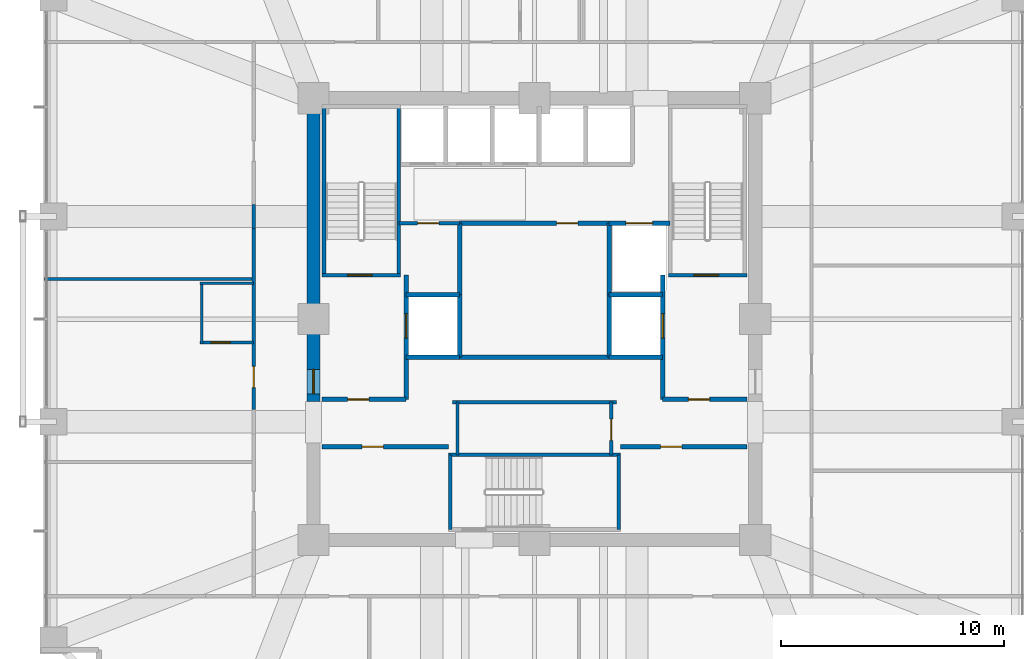
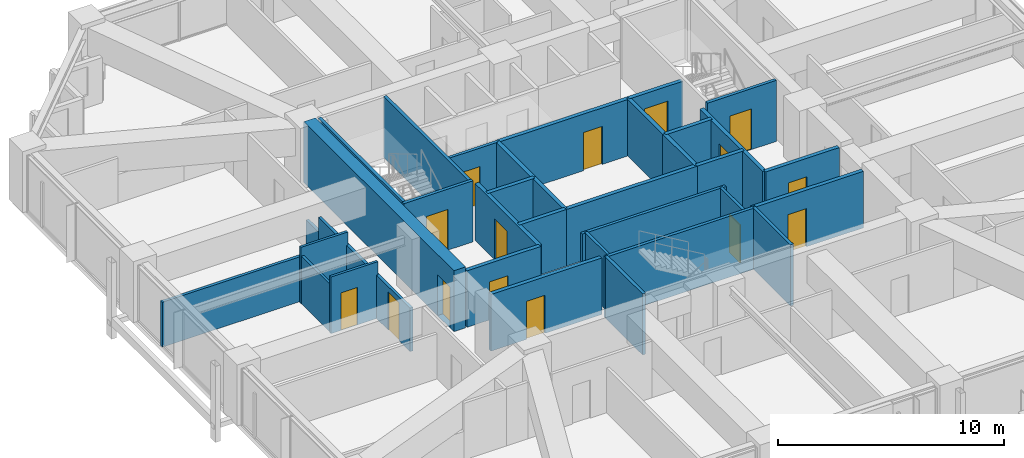
# One storey, part 32 of 37: 35 walls, 15 doors, 15 openings.
"""IFC4 building model written with IfcOpenShell, lengths in metres."""

from ifc_helpers import new_model, si_unit, direction, frame, frame_2d, origin, place, context, subcontext, project, spatial, rectangle, extrude, material, layer, layer_set, type_object, element, fill, save


model = new_model("IFC4")

# Units and contexts
model_context = context("Model", 3, precision=1e-05, world=origin(), true_north=direction((0.0, 1.0)))
body_context = subcontext(model_context, "Body", "Model", "MODEL_VIEW")
ifc_project = project(units=[si_unit("LENGTHUNIT", "METRE"), si_unit("AREAUNIT", "SQUARE_METRE"), si_unit("VOLUMEUNIT", "CUBIC_METRE"), si_unit("PLANEANGLEUNIT", "RADIAN"), si_unit("MASSUNIT", "GRAM", prefix="KILO")], contexts=[model_context])

# Site, building, storey
site_placement = place(None, origin())
site = spatial("IfcSite", under=ifc_project, at=site_placement, CompositionType="ELEMENT")
building_placement = place(site_placement, origin())
building = spatial("IfcBuilding", under=site, at=building_placement, Name="Kolvaren Belvedere", CompositionType="ELEMENT")
storey_placement = place(building_placement, frame((0.0, 0.0, 43.60009765625)))
storey = spatial("IfcBuildingStorey", under=building, at=storey_placement, Name="L12", CompositionType="ELEMENT", Elevation=43.60009765625)

# Wall, opening, door
ifc_material_1 = material(Name="Concrete C60/75", Category="concrete")
ifc_layer_1 = layer(ifc_material_1, 0.60009765625)
ifc_layer_set_1 = layer_set([ifc_layer_1], Name="Concrete C60/75")
wall_type_1 = type_object("IfcWallType", Name="CW-CORE-600", PredefinedType="SHEAR", material=ifc_layer_set_1)
wall_1_placement = place(storey_placement, frame((-9.89990234375, -3.699951171875, 0.0), z_axis=(0.0, 0.0, 1.0), x_axis=(0.0, 1.0, 0.0)))
wall_1 = element("IfcWall", 1, at=wall_1_placement, inside=storey, type_object=wall_type_1, Name="L12 West Core Shear Wall 2", PredefinedType="SHEAR", context=body_context, shape_type="SweptSolid", body=[
    extrude(rectangle(XDim=13.300048828125, YDim=0.60009765625, at=frame_2d((6.64990234375, 0.0))), origin(), (0.0, 0.0, 1.0), 3.2998046875),
])
opening_1_placement = place(wall_1_placement, frame((0.35009765625, 0.0, 0.0)))
opening_1 = element("IfcOpeningElement", 2, at=opening_1_placement, cuts=wall_1, Name="Opening D-FD90", PredefinedType="OPENING", context=body_context, shape_type="SweptSolid", body=[
    extrude(rectangle(XDim=1.10009765625, YDim=2.199951171875, at=frame_2d((0.550048828125, 1.10009765625))), frame((0.0, 0.31005859375, 0.0), z_axis=(0.0, -1.0, 0.0), x_axis=(1.0, 0.0, 0.0)), (0.0, 0.0, 1.0), 0.6201171875),
])
ifc_material_2 = material(Name="Painted hollow stainless steel", Category="steel")
door_type_1 = type_object("IfcDoorType", Name="DR-FD90-1100", OperationType="NOTDEFINED", PredefinedType="DOOR", material=ifc_material_2)
door_1_placement = place(opening_1_placement, origin())
door_1 = element("IfcDoor", 3, at=door_1_placement, inside=storey, type_object=door_type_1, Name="L12 West Firefighting Lobby Fire Door", OperationType="SINGLE_SWING_LEFT", OverallHeight=2.199951171875, OverallWidth=1.10009765625, PredefinedType="DOOR", context=body_context, shape_type="SweptSolid", body=[
    extrude(rectangle(XDim=1.10009765625, YDim=2.199951171875, at=frame_2d((0.550048828125, 1.10009765625))), frame((0.0, 0.02490234375, 0.0), z_axis=(0.0, -1.0, 0.0), x_axis=(1.0, 0.0, 0.0)), (0.0, 0.0, 1.0), 0.050048828125),
])
fill(opening_1, door_1)

ifc_material_3 = material(Name="Concrete C50/60", Category="concrete")
ifc_layer_2 = layer(ifc_material_3, 0.159912109375)
ifc_layer_set_2 = layer_set([ifc_layer_2], Name="Concrete C50/60")
wall_type_2 = type_object("IfcWallType", Name="CW-STAIR-160", PredefinedType="SHEAR", material=ifc_layer_set_2)
wall_2_placement = place(storey_placement, frame((-9.52001953125, 1.969970703125, 0.0), z_axis=(0.0, 0.0, 1.0), x_axis=(1.0, 0.0, 0.0)))
wall_2 = element("IfcWall", 4, at=wall_2_placement, inside=storey, type_object=wall_type_2, Name="L12 Stair ST-1 South Shear Wall", PredefinedType="SHEAR", context=body_context, shape_type="SweptSolid", body=[
    extrude(rectangle(XDim=3.52001953125, YDim=0.159912109375, at=frame_2d((1.760009765625, 0.0))), origin(), (0.0, 0.0, 1.0), 3.2998046875),
])
opening_2_placement = place(wall_2_placement, frame((1.14990234375, 0.0, 0.0)))
opening_2 = element("IfcOpeningElement", 5, at=opening_2_placement, cuts=wall_2, Name="Opening D-FD90", PredefinedType="OPENING", context=body_context, shape_type="SweptSolid", body=[
    extrude(rectangle(XDim=1.10009765625, YDim=2.199951171875, at=frame_2d((0.550048828125, 1.10009765625))), frame((0.0, 0.08984375, 0.0), z_axis=(0.0, -1.0, 0.0), x_axis=(1.0, 0.0, 0.0)), (0.0, 0.0, 1.0), 0.179931640625),
])
door_2_placement = place(opening_2_placement, origin())
door_2 = element("IfcDoor", 6, at=door_2_placement, inside=storey, type_object=door_type_1, Name="L12 Stair ST-1 Fire Door", OperationType="SINGLE_SWING_LEFT", OverallHeight=2.199951171875, OverallWidth=1.10009765625, PredefinedType="DOOR", context=body_context, shape_type="SweptSolid", body=[
    extrude(rectangle(XDim=1.10009765625, YDim=2.199951171875, at=frame_2d((0.550048828125, 1.10009765625))), frame((0.0, 0.02490234375, 0.0), z_axis=(0.0, -1.0, 0.0), x_axis=(1.0, 0.0, 0.0)), (0.0, 0.0, 1.0), 0.050048828125),
])
fill(opening_2, door_2)

# Walls
for number, where, z_axis, x_axis, name in (
    (7, (-9.429931640625, 1.969970703125, 0.0), (0.0, 0.0, 1.0), (0.0, 1.0, 0.0), "L12 Stair ST-1 West Shear Wall"),
    (8, (-6.080078125, 1.969970703125, 0.0), (0.0, 0.0, 1.0), (0.0, 1.0, 0.0), "L12 Stair ST-1 East Shear Wall"),
):
    element("IfcWall", number, at=place(storey_placement, frame(where, z_axis=z_axis, x_axis=x_axis)), inside=storey, type_object=wall_type_2, Name=name, PredefinedType="SHEAR", context=body_context, shape_type="SweptSolid", body=[
        extrude(rectangle(XDim=7.56005859375, YDim=0.159912109375, at=frame_2d((3.780029296875, 0.0))), origin(), (0.0, 0.0, 1.0), 3.2998046875),
    ])

# Wall, opening, door
wall_3_placement = place(storey_placement, frame((6.0, 1.969970703125, 0.0), z_axis=(0.0, 0.0, 1.0), x_axis=(1.0, 0.0, 0.0)))
wall_3 = element("IfcWall", 9, at=wall_3_placement, inside=storey, type_object=wall_type_2, Name="L12 Stair ST-2 South Shear Wall", PredefinedType="SHEAR", context=body_context, shape_type="SweptSolid", body=[
    extrude(rectangle(XDim=3.52001953125, YDim=0.159912109375, at=frame_2d((1.760009765625, 0.0))), origin(), (0.0, 0.0, 1.0), 3.2998046875),
])
opening_3_placement = place(wall_3_placement, frame((1.14990234375, 0.0, 0.0)))
opening_3 = element("IfcOpeningElement", 10, at=opening_3_placement, cuts=wall_3, Name="Opening D-FD90", PredefinedType="OPENING", context=body_context, shape_type="SweptSolid", body=[
    extrude(rectangle(XDim=1.10009765625, YDim=2.199951171875, at=frame_2d((0.550048828125, 1.10009765625))), frame((0.0, 0.08984375, 0.0), z_axis=(0.0, -1.0, 0.0), x_axis=(1.0, 0.0, 0.0)), (0.0, 0.0, 1.0), 0.179931640625),
])
door_3_placement = place(opening_3_placement, origin())
door_3 = element("IfcDoor", 11, at=door_3_placement, inside=storey, type_object=door_type_1, Name="L12 Stair ST-2 Fire Door", OperationType="SINGLE_SWING_RIGHT", OverallHeight=2.199951171875, OverallWidth=1.10009765625, PredefinedType="DOOR", context=body_context, shape_type="SweptSolid", body=[
    extrude(rectangle(XDim=1.10009765625, YDim=2.199951171875, at=frame_2d((0.550048828125, 1.10009765625))), frame((0.0, 0.02490234375, 0.0), z_axis=(0.0, -1.0, 0.0), x_axis=(1.0, 0.0, 0.0)), (0.0, 0.0, 1.0), 0.050048828125),
])
fill(opening_3, door_3)

# Walls
wall_4_placement = place(storey_placement, frame((-3.860107421875, -6.080078125, 0.0), z_axis=(0.0, 0.0, 1.0), x_axis=(1.0, 0.0, 0.0)))
element("IfcWall", 12, at=wall_4_placement, inside=storey, type_object=wall_type_2, Name="L12 Stair ST-3 North Shear Wall", PredefinedType="SHEAR", context=body_context, shape_type="SweptSolid", body=[
    extrude(rectangle(XDim=7.72021484375, YDim=0.159912109375, at=frame_2d((3.860107421875, 0.0))), origin(), (0.0, 0.0, 1.0), 3.2998046875),
])
for number, where, z_axis, x_axis, name in (
    (13, (-3.780029296875, -9.429931640625, 0.0), (0.0, 0.0, 1.0), (0.0, 1.0, 0.0), "L12 Stair ST-3 West Shear Wall"),
    (14, (3.780029296875, -9.429931640625, 0.0), (0.0, 0.0, 1.0), (0.0, 1.0, 0.0), "L12 Stair ST-3 East Shear Wall"),
):
    element("IfcWall", number, at=place(storey_placement, frame(where, z_axis=z_axis, x_axis=x_axis)), inside=storey, type_object=wall_type_2, Name=name, PredefinedType="SHEAR", context=body_context, shape_type="SweptSolid", body=[
        extrude(rectangle(XDim=3.349853515625, YDim=0.159912109375, at=frame_2d((1.6748046875, 0.0))), origin(), (0.0, 0.0, 1.0), 3.2998046875),
    ])

# Wall, opening, door
ifc_material_4 = material(Name="Gypsum fire-rated partition assembly", Category="gypsum")
ifc_layer_3 = layer(ifc_material_4, 0.14990234375)
ifc_layer_set_3 = layer_set([ifc_layer_3], Name="Gypsum fire-rated partition assembly")
wall_type_3 = type_object("IfcWallType", Name="WL-CORR-150", PredefinedType="PARTITIONING", material=ifc_layer_set_3)
wall_5_placement = place(storey_placement, frame((-12.580078125, -4.05810546875, 0.0), z_axis=(0.0, 0.0, 1.0), x_axis=(0.0, 1.0, 0.0)))
wall_5 = element("IfcWall", 15, at=wall_5_placement, inside=storey, type_object=wall_type_3, Name="L12 West Corridor Wall", PredefinedType="PARTITIONING", context=body_context, shape_type="SweptSolid", body=[
    extrude(rectangle(XDim=8.1162109375, YDim=0.14990234375, at=frame_2d((4.05810546875, 0.0))), origin(), (0.0, 0.0, 1.0), 2.348876953125),
])
opening_4_placement = place(wall_5_placement, frame((0.985595703125, 0.0, 0.0)))
opening_4 = element("IfcOpeningElement", 16, at=opening_4_placement, cuts=wall_5, Name="Opening D-FD60", PredefinedType="OPENING", context=body_context, shape_type="SweptSolid", body=[
    extrude(rectangle(XDim=0.949951171875, YDim=2.06005859375, at=frame_2d((0.47509765625, 1.030029296875))), frame((0.0, 0.0849609375, 0.0), z_axis=(0.0, -1.0, 0.0), x_axis=(1.0, 0.0, 0.0)), (0.0, 0.0, 1.0), 0.169921875),
])
ifc_material_5 = material(Name="Acoustic white-oak fire door leaf", Category="timber")
door_type_2 = type_object("IfcDoorType", Name="DR-FD60-950", OperationType="NOTDEFINED", PredefinedType="DOOR", material=ifc_material_5)
door_4_placement = place(opening_4_placement, origin())
door_4 = element("IfcDoor", 17, at=door_4_placement, inside=storey, type_object=door_type_2, Name="L12 King Guest Room 1208 Entry Door", OperationType="SINGLE_SWING_RIGHT", OverallHeight=2.06005859375, OverallWidth=0.949951171875, PredefinedType="DOOR", context=body_context, shape_type="SweptSolid", body=[
    extrude(rectangle(XDim=0.949951171875, YDim=2.06005859375, at=frame_2d((0.47509765625, 1.030029296875))), frame((0.0, 0.02490234375, 0.0), z_axis=(0.0, -1.0, 0.0), x_axis=(1.0, 0.0, 0.0)), (0.0, 0.0, 1.0), 0.050048828125),
])
fill(opening_4, door_4)

# Walls
wall_6_placement = place(storey_placement, frame((-12.580078125, 4.05810546875, 0.0), z_axis=(0.0, 0.0, 1.0), x_axis=(0.0, 1.0, 0.0)))
element("IfcWall", 18, at=wall_6_placement, inside=storey, type_object=wall_type_3, Name="L12 West Corridor Wall", PredefinedType="PARTITIONING", context=body_context, shape_type="SweptSolid", body=[
    extrude(rectangle(XDim=1.083984375, YDim=0.14990234375, at=frame_2d((0.5419921875, 0.0))), origin(), (0.0, 0.0, 1.0), 1.544921875),
])
ifc_material_6 = material(Name="Gypsum acoustic partition assembly", Category="gypsum")
ifc_layer_4 = layer(ifc_material_6, 0.14990234375)
ifc_layer_set_4 = layer_set([ifc_layer_4], Name="Gypsum acoustic partition assembly")
wall_type_4 = type_object("IfcWallType", Name="WL-PART-150", PredefinedType="PARTITIONING", material=ifc_layer_set_4)
wall_7_placement = place(storey_placement, frame((-3.679931640625, -3.719970703125, 0.0), z_axis=(0.0, 0.0, 1.0), x_axis=(1.0, 0.0, 0.0)))
element("IfcWall", 19, at=wall_7_placement, inside=storey, type_object=wall_type_4, Name="L12 South Core Service North Wall", PredefinedType="PARTITIONING", context=body_context, shape_type="SweptSolid", body=[
    extrude(rectangle(XDim=7.35986328125, YDim=0.14990234375, at=frame_2d((3.679931640625, 0.0))), origin(), (0.0, 0.0, 1.0), 3.059814453125),
])

# Wall, opening, door
wall_8_placement = place(storey_placement, frame((3.449951171875, -6.080078125, 0.0), z_axis=(0.0, 0.0, 1.0), x_axis=(0.0, 1.0, 0.0)))
wall_8 = element("IfcWall", 20, at=wall_8_placement, inside=storey, type_object=wall_type_4, Name="L12 South Core Service East Wall", PredefinedType="PARTITIONING", context=body_context, shape_type="SweptSolid", body=[
    extrude(rectangle(XDim=2.360107421875, YDim=0.14990234375, at=frame_2d((1.18017578125, 0.0))), origin(), (0.0, 0.0, 1.0), 3.059814453125),
])
opening_5_placement = place(wall_8_placement, frame((0.64990234375, 0.0, 0.0)))
opening_5 = element("IfcOpeningElement", 21, at=opening_5_placement, cuts=wall_8, Name="Opening D-FD60", PredefinedType="OPENING", context=body_context, shape_type="SweptSolid", body=[
    extrude(rectangle(XDim=0.949951171875, YDim=2.06005859375, at=frame_2d((0.47509765625, 1.030029296875))), frame((0.0, 0.0849609375, 0.0), z_axis=(0.0, -1.0, 0.0), x_axis=(1.0, 0.0, 0.0)), (0.0, 0.0, 1.0), 0.169921875),
])
door_5_placement = place(opening_5_placement, origin())
door_5 = element("IfcDoor", 22, at=door_5_placement, inside=storey, type_object=door_type_2, Name="L12 Core Service Room Door", OperationType="SINGLE_SWING_LEFT", OverallHeight=2.06005859375, OverallWidth=0.949951171875, PredefinedType="DOOR", context=body_context, shape_type="SweptSolid", body=[
    extrude(rectangle(XDim=0.949951171875, YDim=2.06005859375, at=frame_2d((0.47509765625, 1.030029296875))), frame((0.0, 0.02490234375, 0.0), z_axis=(0.0, -1.0, 0.0), x_axis=(1.0, 0.0, 0.0)), (0.0, 0.0, 1.0), 0.050048828125),
])
fill(opening_5, door_5)

# Wall
wall_9_placement = place(storey_placement, frame((-3.449951171875, -6.080078125, 0.0), z_axis=(0.0, 0.0, 1.0), x_axis=(0.0, 1.0, 0.0)))
element("IfcWall", 23, at=wall_9_placement, inside=storey, type_object=wall_type_4, Name="L12 South Core Service West Wall", PredefinedType="PARTITIONING", context=body_context, shape_type="SweptSolid", body=[
    extrude(rectangle(XDim=2.360107421875, YDim=0.14990234375, at=frame_2d((1.18017578125, 0.0))), origin(), (0.0, 0.0, 1.0), 3.059814453125),
])

# Wall, opening, door
wall_10_placement = place(storey_placement, frame((-6.080078125, 4.300048828125, 0.0), z_axis=(0.0, 0.0, 1.0), x_axis=(1.0, 0.0, 0.0)))
wall_10 = element("IfcWall", 24, at=wall_10_placement, inside=storey, type_object=wall_type_4, Name="L12 NW Service Room North Wall", PredefinedType="PARTITIONING", context=body_context, shape_type="SweptSolid", body=[
    extrude(rectangle(XDim=2.72998046875, YDim=0.14990234375, at=frame_2d((1.364990234375, 0.0))), origin(), (0.0, 0.0, 1.0), 3.059814453125),
])
opening_6_placement = place(wall_10_placement, frame((0.85009765625, 0.0, 0.0)))
opening_6 = element("IfcOpeningElement", 25, at=opening_6_placement, cuts=wall_10, Name="Opening D-FD60", PredefinedType="OPENING", context=body_context, shape_type="SweptSolid", body=[
    extrude(rectangle(XDim=0.949951171875, YDim=2.06005859375, at=frame_2d((0.47509765625, 1.030029296875))), frame((0.0, 0.0849609375, 0.0), z_axis=(0.0, -1.0, 0.0), x_axis=(1.0, 0.0, 0.0)), (0.0, 0.0, 1.0), 0.169921875),
])
door_6_placement = place(opening_6_placement, origin())
door_6 = element("IfcDoor", 26, at=door_6_placement, inside=storey, type_object=door_type_2, Name="L12 NW Core Store Door", OperationType="SINGLE_SWING_RIGHT", OverallHeight=2.06005859375, OverallWidth=0.949951171875, PredefinedType="DOOR", context=body_context, shape_type="SweptSolid", body=[
    extrude(rectangle(XDim=0.949951171875, YDim=2.06005859375, at=frame_2d((0.47509765625, 1.030029296875))), frame((0.0, 0.02490234375, 0.0), z_axis=(0.0, -1.0, 0.0), x_axis=(1.0, 0.0, 0.0)), (0.0, 0.0, 1.0), 0.050048828125),
])
fill(opening_6, door_6)

# Wall
wall_11_placement = place(storey_placement, frame((-21.97998046875, 1.800048828125, 0.0), z_axis=(0.0, 0.0, 1.0), x_axis=(1.0, 0.0, 0.0)))
element("IfcWall", 27, at=wall_11_placement, inside=storey, type_object=wall_type_4, Name="L12 West Suite Demising Wall 2", PredefinedType="PARTITIONING", context=body_context, shape_type="SweptSolid", body=[
    extrude(rectangle(XDim=9.39990234375, YDim=0.14990234375, at=frame_2d((4.699951171875, 0.0))), origin(), (0.0, 0.0, 1.0), 2.428955078125),
])

# Wall, opening, door
ifc_material_7 = material(Name="Concrete C50/60", Category="concrete")
ifc_layer_5 = layer(ifc_material_7, 0.199951171875)
ifc_layer_set_5 = layer_set([ifc_layer_5], Name="Concrete C50/60")
wall_type_5 = type_object("IfcWallType", Name="WL-SHAFT-200", PredefinedType="SOLIDWALL", material=ifc_layer_set_5)
wall_12_placement = place(storey_placement, frame((-9.52001953125, -3.60009765625, 0.0), z_axis=(0.0, 0.0, 1.0), x_axis=(1.0, 0.0, 0.0)))
wall_12 = element("IfcWall", 28, at=wall_12_placement, inside=storey, type_object=wall_type_5, Name="L12 West FSAE Lobby South Wall", PredefinedType="SOLIDWALL", context=body_context, shape_type="SweptSolid", body=[
    extrude(rectangle(XDim=3.77001953125, YDim=0.199951171875, at=frame_2d((1.885009765625, 0.0))), origin(), (0.0, 0.0, 1.0), 3.059814453125),
])
opening_7_placement = place(wall_12_placement, frame((1.14990234375, 0.0, 0.0)))
opening_7 = element("IfcOpeningElement", 29, at=opening_7_placement, cuts=wall_12, Name="Opening D-FD60", PredefinedType="OPENING", context=body_context, shape_type="SweptSolid", body=[
    extrude(rectangle(XDim=0.949951171875, YDim=2.06005859375, at=frame_2d((0.47509765625, 1.030029296875))), frame((0.0, 0.10986328125, 0.0), z_axis=(0.0, -1.0, 0.0), x_axis=(1.0, 0.0, 0.0)), (0.0, 0.0, 1.0), 0.219970703125),
])
door_7_placement = place(opening_7_placement, origin())
door_7 = element("IfcDoor", 30, at=door_7_placement, inside=storey, type_object=door_type_2, Name="L12 SW Lift Lobby Fire Door", OperationType="SINGLE_SWING_LEFT", OverallHeight=2.06005859375, OverallWidth=0.949951171875, PredefinedType="DOOR", context=body_context, shape_type="SweptSolid", body=[
    extrude(rectangle(XDim=0.949951171875, YDim=2.06005859375, at=frame_2d((0.47509765625, 1.030029296875))), frame((0.0, 0.02490234375, 0.0), z_axis=(0.0, -1.0, 0.0), x_axis=(1.0, 0.0, 0.0)), (0.0, 0.0, 1.0), 0.050048828125),
])
fill(opening_7, door_7)

wall_13_placement = place(storey_placement, frame((-5.75, -3.60009765625, 0.0), z_axis=(0.0, 0.0, 1.0), x_axis=(0.0, 1.0, 0.0)))
wall_13 = element("IfcWall", 31, at=wall_13_placement, inside=storey, type_object=wall_type_5, Name="L12 FSAE FS1 Landing Wall", PredefinedType="SOLIDWALL", context=body_context, shape_type="SweptSolid", body=[
    extrude(rectangle(XDim=5.570068359375, YDim=0.199951171875, at=frame_2d((2.78515625, 0.0))), origin(), (0.0, 0.0, 1.0), 3.059814453125),
])
opening_8_placement = place(wall_13_placement, frame((2.75, 0.0, 0.0)))
opening_8 = element("IfcOpeningElement", 32, at=opening_8_placement, cuts=wall_13, Name="Opening LD-11", PredefinedType="OPENING", context=body_context, shape_type="SweptSolid", body=[
    extrude(rectangle(XDim=1.10009765625, YDim=2.199951171875, at=frame_2d((0.550048828125, 1.10009765625))), frame((0.0, 0.10986328125, 0.0), z_axis=(0.0, -1.0, 0.0), x_axis=(1.0, 0.0, 0.0)), (0.0, 0.0, 1.0), 0.219970703125),
])
ifc_material_8 = material(Name="Brushed stainless steel", Category="steel")
door_type_3 = type_object("IfcDoorType", Name="DR-LIFT-1100", OperationType="DOUBLE_DOOR_SLIDING", PredefinedType="DOOR", material=ifc_material_8)
door_8_placement = place(opening_8_placement, origin())
door_8 = element("IfcDoor", 33, at=door_8_placement, inside=storey, type_object=door_type_3, Name="L12 Firefighting Lift FS1 Landing Door", OperationType="DOUBLE_DOOR_SLIDING", OverallHeight=2.199951171875, OverallWidth=1.10009765625, PredefinedType="DOOR", context=body_context, shape_type="SweptSolid", body=[
    extrude(rectangle(XDim=1.10009765625, YDim=2.199951171875, at=frame_2d((0.550048828125, 1.10009765625))), frame((0.0, 0.02490234375, 0.0), z_axis=(0.0, -1.0, 0.0), x_axis=(1.0, 0.0, 0.0)), (0.0, 0.0, 1.0), 0.050048828125),
])
fill(opening_8, door_8)

# Walls
wall_14_placement = place(storey_placement, frame((-3.35009765625, -1.699951171875, 0.0), z_axis=(0.0, 0.0, 1.0), x_axis=(0.0, 1.0, 0.0)))
element("IfcWall", 34, at=wall_14_placement, inside=storey, type_object=wall_type_5, Name="L12 FSAE FS1 Back Wall", PredefinedType="SOLIDWALL", context=body_context, shape_type="SweptSolid", body=[
    extrude(rectangle(XDim=2.800048828125, YDim=0.199951171875, at=frame_2d((1.39990234375, 0.0))), origin(), (0.0, 0.0, 1.0), 3.059814453125),
])
for number, where, z_axis, x_axis, name in (
    (35, (-5.75, -1.699951171875, 0.0), (0.0, 0.0, 1.0), (1.0, 0.0, 0.0), "L12 FSAE FS1 South Wall"),
    (36, (-5.75, 1.10009765625, 0.0), (0.0, 0.0, 1.0), (1.0, 0.0, 0.0), "L12 FSAE FS1 North Wall"),
):
    element("IfcWall", number, at=place(storey_placement, frame(where, z_axis=z_axis, x_axis=x_axis)), inside=storey, type_object=wall_type_5, Name=name, PredefinedType="SOLIDWALL", context=body_context, shape_type="SweptSolid", body=[
        extrude(rectangle(XDim=2.39990234375, YDim=0.199951171875, at=frame_2d((1.199951171875, 0.0))), origin(), (0.0, 0.0, 1.0), 3.059814453125),
    ])

# Wall, opening, door
wall_15_placement = place(storey_placement, frame((5.75, -3.60009765625, 0.0), z_axis=(0.0, 0.0, 1.0), x_axis=(1.0, 0.0, 0.0)))
wall_15 = element("IfcWall", 37, at=wall_15_placement, inside=storey, type_object=wall_type_5, Name="L12 East FSAE Lobby South Wall", PredefinedType="SOLIDWALL", context=body_context, shape_type="SweptSolid", body=[
    extrude(rectangle(XDim=3.77001953125, YDim=0.199951171875, at=frame_2d((1.885009765625, 0.0))), origin(), (0.0, 0.0, 1.0), 3.059814453125),
])
opening_9_placement = place(wall_15_placement, frame((1.14990234375, 0.0, 0.0)))
opening_9 = element("IfcOpeningElement", 38, at=opening_9_placement, cuts=wall_15, Name="Opening D-FD60", PredefinedType="OPENING", context=body_context, shape_type="SweptSolid", body=[
    extrude(rectangle(XDim=0.949951171875, YDim=2.06005859375, at=frame_2d((0.47509765625, 1.030029296875))), frame((0.0, 0.10986328125, 0.0), z_axis=(0.0, -1.0, 0.0), x_axis=(1.0, 0.0, 0.0)), (0.0, 0.0, 1.0), 0.219970703125),
])
door_9_placement = place(opening_9_placement, origin())
door_9 = element("IfcDoor", 39, at=door_9_placement, inside=storey, type_object=door_type_2, Name="L12 SE Lift Lobby Fire Door", OperationType="SINGLE_SWING_RIGHT", OverallHeight=2.06005859375, OverallWidth=0.949951171875, PredefinedType="DOOR", context=body_context, shape_type="SweptSolid", body=[
    extrude(rectangle(XDim=0.949951171875, YDim=2.06005859375, at=frame_2d((0.47509765625, 1.030029296875))), frame((0.0, 0.02490234375, 0.0), z_axis=(0.0, -1.0, 0.0), x_axis=(1.0, 0.0, 0.0)), (0.0, 0.0, 1.0), 0.050048828125),
])
fill(opening_9, door_9)

wall_16_placement = place(storey_placement, frame((5.75, -3.60009765625, 0.0), z_axis=(0.0, 0.0, 1.0), x_axis=(0.0, 1.0, 0.0)))
wall_16 = element("IfcWall", 40, at=wall_16_placement, inside=storey, type_object=wall_type_5, Name="L12 FSAE FS2 Landing Wall", PredefinedType="SOLIDWALL", context=body_context, shape_type="SweptSolid", body=[
    extrude(rectangle(XDim=5.570068359375, YDim=0.199951171875, at=frame_2d((2.78515625, 0.0))), origin(), (0.0, 0.0, 1.0), 3.059814453125),
])
opening_10_placement = place(wall_16_placement, frame((2.75, 0.0, 0.0)))
opening_10 = element("IfcOpeningElement", 41, at=opening_10_placement, cuts=wall_16, Name="Opening LD-11", PredefinedType="OPENING", context=body_context, shape_type="SweptSolid", body=[
    extrude(rectangle(XDim=1.10009765625, YDim=2.199951171875, at=frame_2d((0.550048828125, 1.10009765625))), frame((0.0, 0.10986328125, 0.0), z_axis=(0.0, -1.0, 0.0), x_axis=(1.0, 0.0, 0.0)), (0.0, 0.0, 1.0), 0.219970703125),
])
door_10_placement = place(opening_10_placement, origin())
door_10 = element("IfcDoor", 42, at=door_10_placement, inside=storey, type_object=door_type_3, Name="L12 Firefighting Lift FS2 Landing Door", OperationType="DOUBLE_DOOR_SLIDING", OverallHeight=2.199951171875, OverallWidth=1.10009765625, PredefinedType="DOOR", context=body_context, shape_type="SweptSolid", body=[
    extrude(rectangle(XDim=1.10009765625, YDim=2.199951171875, at=frame_2d((0.550048828125, 1.10009765625))), frame((0.0, 0.02490234375, 0.0), z_axis=(0.0, -1.0, 0.0), x_axis=(1.0, 0.0, 0.0)), (0.0, 0.0, 1.0), 0.050048828125),
])
fill(opening_10, door_10)

# Walls
wall_17_placement = place(storey_placement, frame((3.35009765625, -1.699951171875, 0.0), z_axis=(0.0, 0.0, 1.0), x_axis=(0.0, 1.0, 0.0)))
element("IfcWall", 43, at=wall_17_placement, inside=storey, type_object=wall_type_5, Name="L12 FSAE FS2 Back Wall", PredefinedType="SOLIDWALL", context=body_context, shape_type="SweptSolid", body=[
    extrude(rectangle(XDim=2.800048828125, YDim=0.199951171875, at=frame_2d((1.39990234375, 0.0))), origin(), (0.0, 0.0, 1.0), 3.059814453125),
])
for number, where, z_axis, x_axis, name in (
    (44, (3.35009765625, -1.699951171875, 0.0), (0.0, 0.0, 1.0), (1.0, 0.0, 0.0), "L12 FSAE FS2 South Wall"),
    (45, (3.35009765625, 1.10009765625, 0.0), (0.0, 0.0, 1.0), (1.0, 0.0, 0.0), "L12 FSAE FS2 North Wall"),
):
    element("IfcWall", number, at=place(storey_placement, frame(where, z_axis=z_axis, x_axis=x_axis)), inside=storey, type_object=wall_type_5, Name=name, PredefinedType="SOLIDWALL", context=body_context, shape_type="SweptSolid", body=[
        extrude(rectangle(XDim=2.39990234375, YDim=0.199951171875, at=frame_2d((1.199951171875, 0.0))), origin(), (0.0, 0.0, 1.0), 3.059814453125),
    ])

# Wall, opening, door
wall_18_placement = place(storey_placement, frame((3.35009765625, 4.300048828125, 0.0), z_axis=(0.0, 0.0, 1.0), x_axis=(1.0, 0.0, 0.0)))
wall_18 = element("IfcWall", 46, at=wall_18_placement, inside=storey, type_object=wall_type_5, Name="L12 Service Lift SV1 Front Wall", PredefinedType="SOLIDWALL", context=body_context, shape_type="SweptSolid", body=[
    extrude(rectangle(XDim=2.72998046875, YDim=0.199951171875, at=frame_2d((1.364990234375, 0.0))), origin(), (0.0, 0.0, 1.0), 3.059814453125),
])
opening_11_placement = place(wall_18_placement, frame((0.75, 0.0, 0.0)))
opening_11 = element("IfcOpeningElement", 47, at=opening_11_placement, cuts=wall_18, Name="Opening LD-12", PredefinedType="OPENING", context=body_context, shape_type="SweptSolid", body=[
    extrude(rectangle(XDim=1.199951171875, YDim=2.25, at=frame_2d((0.60009765625, 1.125))), frame((0.0, 0.10986328125, 0.0), z_axis=(0.0, -1.0, 0.0), x_axis=(1.0, 0.0, 0.0)), (0.0, 0.0, 1.0), 0.219970703125),
])
ifc_material_9 = material(Name="Brushed stainless steel", Category="steel")
door_type_4 = type_object("IfcDoorType", Name="DR-LIFT-1200", OperationType="DOUBLE_DOOR_SLIDING", PredefinedType="DOOR", material=ifc_material_9)
door_11_placement = place(opening_11_placement, origin())
door_11 = element("IfcDoor", 48, at=door_11_placement, inside=storey, type_object=door_type_4, Name="L12 Service Lift SV1 Landing Door", OperationType="DOUBLE_DOOR_SLIDING", OverallHeight=2.25, OverallWidth=1.199951171875, PredefinedType="DOOR", context=body_context, shape_type="SweptSolid", body=[
    extrude(rectangle(XDim=1.199951171875, YDim=2.25, at=frame_2d((0.60009765625, 1.125))), frame((0.0, 0.02490234375, 0.0), z_axis=(0.0, -1.0, 0.0), x_axis=(1.0, 0.0, 0.0)), (0.0, 0.0, 1.0), 0.050048828125),
])
fill(opening_11, door_11)

wall_19_placement = place(storey_placement, frame((-9.52001953125, -5.719970703125, 0.0), z_axis=(0.0, 0.0, 1.0), x_axis=(1.0, 0.0, 0.0)))
wall_19 = element("IfcWall", 49, at=wall_19_placement, inside=storey, type_object=wall_type_5, Name="L12 SW Core Reserve Wall", PredefinedType="SOLIDWALL", context=body_context, shape_type="SweptSolid", body=[
    extrude(rectangle(XDim=5.659912109375, YDim=0.199951171875, at=frame_2d((2.830078125, 0.0))), origin(), (0.0, 0.0, 1.0), 3.059814453125),
])
opening_12_placement = place(wall_19_placement, frame((1.800048828125, 0.0, 0.0)))
opening_12 = element("IfcOpeningElement", 50, at=opening_12_placement, cuts=wall_19, Name="Opening D-FD60", PredefinedType="OPENING", context=body_context, shape_type="SweptSolid", body=[
    extrude(rectangle(XDim=0.949951171875, YDim=2.06005859375, at=frame_2d((0.47509765625, 1.030029296875))), frame((0.0, 0.10986328125, 0.0), z_axis=(0.0, -1.0, 0.0), x_axis=(1.0, 0.0, 0.0)), (0.0, 0.0, 1.0), 0.219970703125),
])
door_12_placement = place(opening_12_placement, origin())
door_12 = element("IfcDoor", 51, at=door_12_placement, inside=storey, type_object=door_type_2, Name="L12 SW Core Room Door", OperationType="SINGLE_SWING_LEFT", OverallHeight=2.06005859375, OverallWidth=0.949951171875, PredefinedType="DOOR", context=body_context, shape_type="SweptSolid", body=[
    extrude(rectangle(XDim=0.949951171875, YDim=2.06005859375, at=frame_2d((0.47509765625, 1.030029296875))), frame((0.0, 0.02490234375, 0.0), z_axis=(0.0, -1.0, 0.0), x_axis=(1.0, 0.0, 0.0)), (0.0, 0.0, 1.0), 0.050048828125),
])
fill(opening_12, door_12)

wall_20_placement = place(storey_placement, frame((3.860107421875, -5.719970703125, 0.0), z_axis=(0.0, 0.0, 1.0), x_axis=(1.0, 0.0, 0.0)))
wall_20 = element("IfcWall", 52, at=wall_20_placement, inside=storey, type_object=wall_type_5, Name="L12 SE Core Distribution Wall", PredefinedType="SOLIDWALL", context=body_context, shape_type="SweptSolid", body=[
    extrude(rectangle(XDim=5.659912109375, YDim=0.199951171875, at=frame_2d((2.830078125, 0.0))), origin(), (0.0, 0.0, 1.0), 3.059814453125),
])
opening_13_placement = place(wall_20_placement, frame((1.800048828125, 0.0, 0.0)))
opening_13 = element("IfcOpeningElement", 53, at=opening_13_placement, cuts=wall_20, Name="Opening D-FD60", PredefinedType="OPENING", context=body_context, shape_type="SweptSolid", body=[
    extrude(rectangle(XDim=0.949951171875, YDim=2.06005859375, at=frame_2d((0.47509765625, 1.030029296875))), frame((0.0, 0.10986328125, 0.0), z_axis=(0.0, -1.0, 0.0), x_axis=(1.0, 0.0, 0.0)), (0.0, 0.0, 1.0), 0.219970703125),
])
door_13_placement = place(opening_13_placement, origin())
door_13 = element("IfcDoor", 54, at=door_13_placement, inside=storey, type_object=door_type_2, Name="L12 Core Electrical & BMS Room Door", OperationType="SINGLE_SWING_RIGHT", OverallHeight=2.06005859375, OverallWidth=0.949951171875, PredefinedType="DOOR", context=body_context, shape_type="SweptSolid", body=[
    extrude(rectangle(XDim=0.949951171875, YDim=2.06005859375, at=frame_2d((0.47509765625, 1.030029296875))), frame((0.0, 0.02490234375, 0.0), z_axis=(0.0, -1.0, 0.0), x_axis=(1.0, 0.0, 0.0)), (0.0, 0.0, 1.0), 0.050048828125),
])
fill(opening_13, door_13)

wall_21_placement = place(storey_placement, frame((-3.35009765625, 4.300048828125, 0.0), z_axis=(0.0, 0.0, 1.0), x_axis=(1.0, 0.0, 0.0)))
wall_21 = element("IfcWall", 55, at=wall_21_placement, inside=storey, type_object=wall_type_5, Name="L12 Central Core Room North Wall", PredefinedType="SOLIDWALL", context=body_context, shape_type="SweptSolid", body=[
    extrude(rectangle(XDim=6.7001953125, YDim=0.199951171875, at=frame_2d((3.35009765625, 0.0))), origin(), (0.0, 0.0, 1.0), 3.059814453125),
])
opening_14_placement = place(wall_21_placement, frame((4.35009765625, 0.0, 0.0)))
opening_14 = element("IfcOpeningElement", 56, at=opening_14_placement, cuts=wall_21, Name="Opening D-FD60", PredefinedType="OPENING", context=body_context, shape_type="SweptSolid", body=[
    extrude(rectangle(XDim=0.949951171875, YDim=2.06005859375, at=frame_2d((0.47509765625, 1.030029296875))), frame((0.0, 0.10986328125, 0.0), z_axis=(0.0, -1.0, 0.0), x_axis=(1.0, 0.0, 0.0)), (0.0, 0.0, 1.0), 0.219970703125),
])
door_14_placement = place(opening_14_placement, origin())
door_14 = element("IfcDoor", 57, at=door_14_placement, inside=storey, type_object=door_type_2, Name="L12 Central Core Controls Door", OperationType="SINGLE_SWING_LEFT", OverallHeight=2.06005859375, OverallWidth=0.949951171875, PredefinedType="DOOR", context=body_context, shape_type="SweptSolid", body=[
    extrude(rectangle(XDim=0.949951171875, YDim=2.06005859375, at=frame_2d((0.47509765625, 1.030029296875))), frame((0.0, 0.02490234375, 0.0), z_axis=(0.0, -1.0, 0.0), x_axis=(1.0, 0.0, 0.0)), (0.0, 0.0, 1.0), 0.050048828125),
])
fill(opening_14, door_14)

# Walls
wall_22_placement = place(storey_placement, frame((-3.35009765625, -1.699951171875, 0.0), z_axis=(0.0, 0.0, 1.0), x_axis=(1.0, 0.0, 0.0)))
element("IfcWall", 58, at=wall_22_placement, inside=storey, type_object=wall_type_5, Name="L12 Central Core Room South Wall", PredefinedType="SOLIDWALL", context=body_context, shape_type="SweptSolid", body=[
    extrude(rectangle(XDim=6.7001953125, YDim=0.199951171875, at=frame_2d((3.35009765625, 0.0))), origin(), (0.0, 0.0, 1.0), 3.059814453125),
])
for number, where, z_axis, x_axis, name in (
    (59, (-3.35009765625, 1.10009765625, 0.0), (0.0, 0.0, 1.0), (0.0, 1.0, 0.0), "L12 Central Core Room West Wall"),
    (60, (3.35009765625, 1.10009765625, 0.0), (0.0, 0.0, 1.0), (0.0, 1.0, 0.0), "L12 Central Core Room East Wall"),
):
    element("IfcWall", number, at=place(storey_placement, frame(where, z_axis=z_axis, x_axis=x_axis)), inside=storey, type_object=wall_type_5, Name=name, PredefinedType="SOLIDWALL", context=body_context, shape_type="SweptSolid", body=[
        extrude(rectangle(XDim=3.199951171875, YDim=0.199951171875, at=frame_2d((1.60009765625, 0.0))), origin(), (0.0, 0.0, 1.0), 3.059814453125),
    ])

# Wall, opening, door
ifc_material_10 = material(Name="Moisture-resistant gypsum partition", Category="gypsum")
ifc_layer_6 = layer(ifc_material_10, 0.125)
ifc_layer_set_6 = layer_set([ifc_layer_6], Name="Moisture-resistant gypsum partition")
wall_type_6 = type_object("IfcWallType", Name="WL-WET-125", PredefinedType="PARTITIONING", material=ifc_layer_set_6)
wall_23_placement = place(storey_placement, frame((-14.985107421875, -1.044921875, 0.0), z_axis=(0.0, 0.0, 1.0), x_axis=(1.0, 0.0, 0.0)))
wall_23 = element("IfcWall", 61, at=wall_23_placement, inside=storey, type_object=wall_type_6, Name="L12 Bathroom Partition PW-L12-BTH-8-N", PredefinedType="PARTITIONING", context=body_context, shape_type="SweptSolid", body=[
    extrude(rectangle(XDim=2.39013671875, YDim=0.125, at=frame_2d((1.195068359375, 0.0))), origin(), (0.0, 0.0, 1.0), 3.059814453125),
])
opening_15_placement = place(wall_23_placement, frame((0.5, 0.0, 0.0)))
opening_15 = element("IfcOpeningElement", 62, at=opening_15_placement, cuts=wall_23, Name="Opening D-BTH85", PredefinedType="OPENING", context=body_context, shape_type="SweptSolid", body=[
    extrude(rectangle(XDim=0.85009765625, YDim=2.030029296875, at=frame_2d((0.425048828125, 1.01513671875))), frame((0.0, 0.072509765625, 0.0), z_axis=(0.0, -1.0, 0.0), x_axis=(1.0, 0.0, 0.0)), (0.0, 0.0, 1.0), 0.14501953125),
])
ifc_material_11 = material(Name="Moisture-sealed Pacific white oak", Category="timber")
door_type_5 = type_object("IfcDoorType", Name="DR-BATH-850", OperationType="NOTDEFINED", PredefinedType="DOOR", material=ifc_material_11)
door_15_placement = place(opening_15_placement, origin())
door_15 = element("IfcDoor", 63, at=door_15_placement, inside=storey, type_object=door_type_5, Name="L12 En-Suite Bathroom 1208 Door", OperationType="SINGLE_SWING_LEFT", OverallHeight=2.030029296875, OverallWidth=0.85009765625, PredefinedType="DOOR", context=body_context, shape_type="SweptSolid", body=[
    extrude(rectangle(XDim=0.85009765625, YDim=2.030029296875, at=frame_2d((0.425048828125, 1.01513671875))), frame((0.0, 0.02490234375, 0.0), z_axis=(0.0, -1.0, 0.0), x_axis=(1.0, 0.0, 0.0)), (0.0, 0.0, 1.0), 0.050048828125),
])
fill(opening_15, door_15)

# Walls
wall_24_placement = place(storey_placement, frame((-14.905029296875, -1.10498046875, 0.0), z_axis=(0.0, 0.0, 1.0), x_axis=(0.0, 1.0, 0.0)))
element("IfcWall", 64, at=wall_24_placement, inside=storey, type_object=wall_type_6, Name="L12 Bathroom Partition PW-L12-BTH-8-V", PredefinedType="PARTITIONING", context=body_context, shape_type="SweptSolid", body=[
    extrude(rectangle(XDim=2.77001953125, YDim=0.125, at=frame_2d((1.385009765625, 0.0))), origin(), (0.0, 0.0, 1.0), 2.5849609375),
])
wall_25_placement = place(storey_placement, frame((-14.985107421875, 1.60498046875, 0.0), z_axis=(0.0, 0.0, 1.0), x_axis=(1.0, 0.0, 0.0)))
element("IfcWall", 65, at=wall_25_placement, inside=storey, type_object=wall_type_6, Name="L12 Bathroom Partition PW-L12-BTH-8-S", PredefinedType="PARTITIONING", context=body_context, shape_type="SweptSolid", body=[
    extrude(rectangle(XDim=2.39013671875, YDim=0.125, at=frame_2d((1.195068359375, 0.0))), origin(), (0.0, 0.0, 1.0), 3.059814453125),
])

save(model, "model.ifc")
